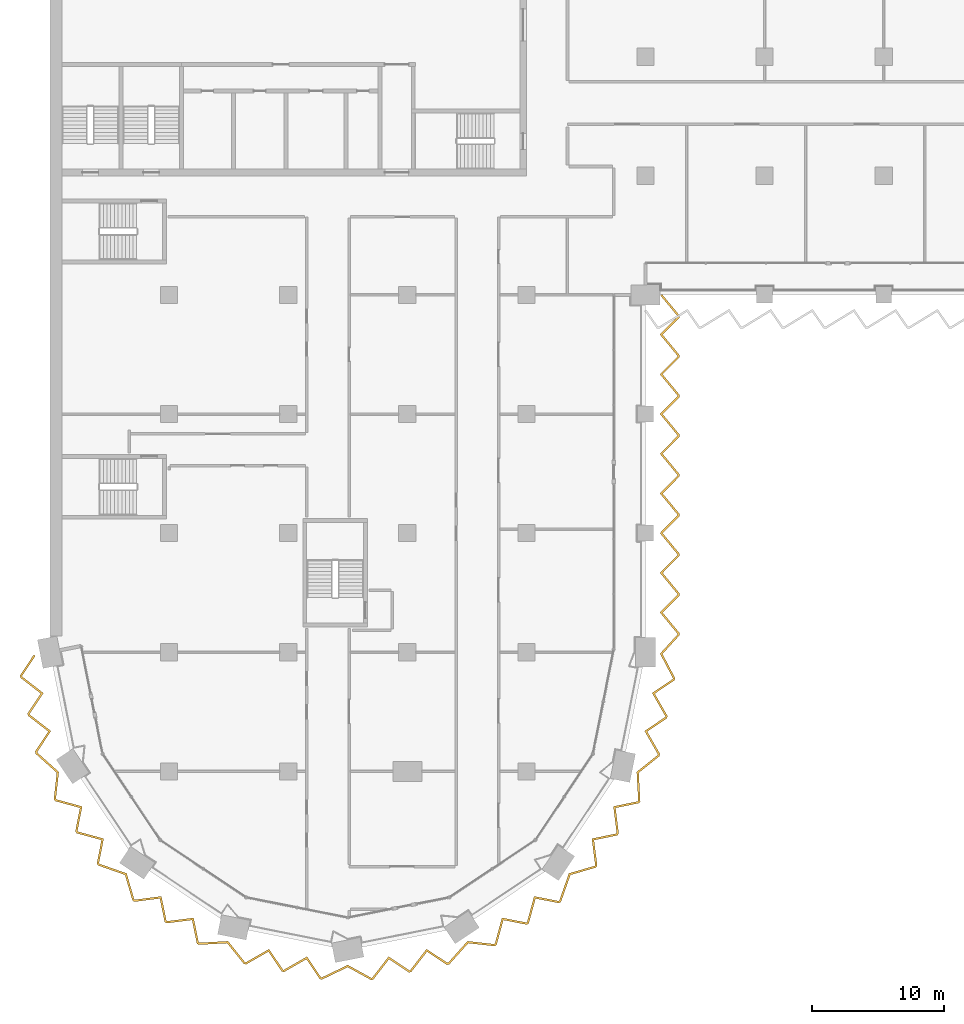
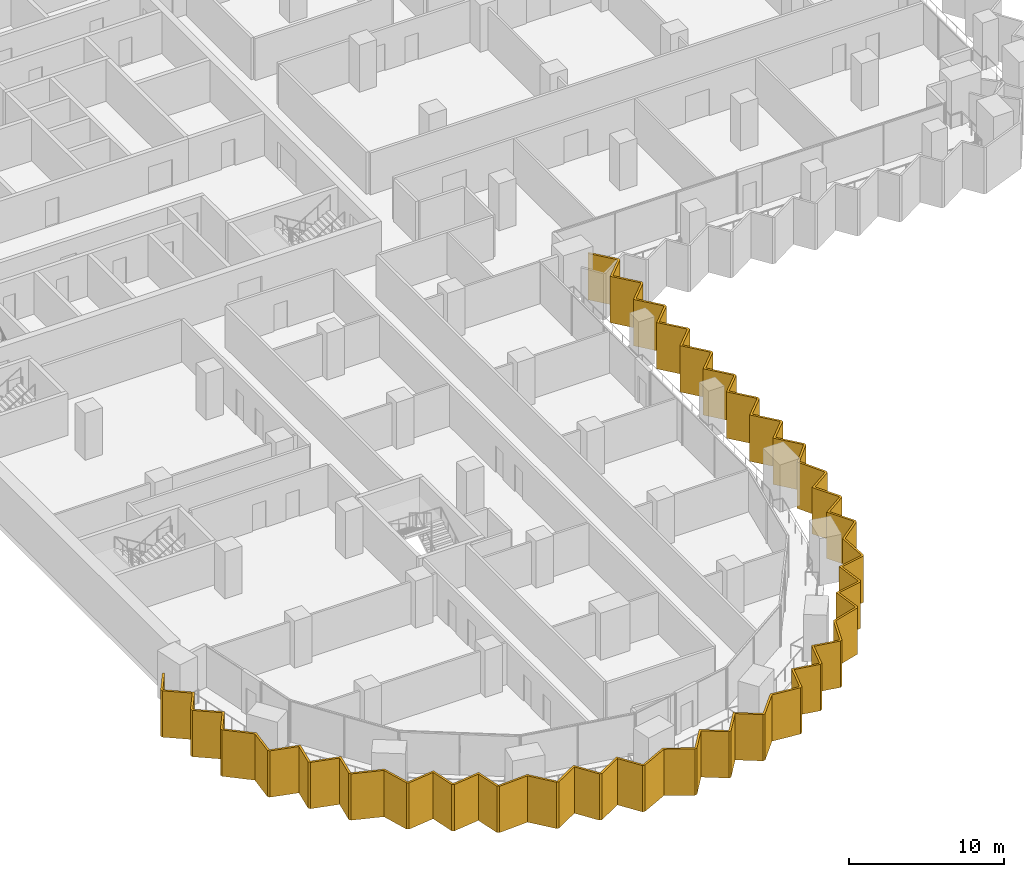
# One storey, part 18 of 22: 1 shading device.
"""IFC4 building model written with IfcOpenShell, lengths in metres."""

from ifc_helpers import new_model, si_unit, direction, frame, origin, place, context, subcontext, project, spatial, polyline, outline, extrude, material, layer, layer_set, type_object, element, save


model = new_model("IFC4")

# Units and contexts
model_context = context("Model", 3, precision=1e-05, world=origin(), true_north=direction((0.0, 1.0)))
body_context = subcontext(model_context, "Body", "Model", "MODEL_VIEW")
ifc_project = project(units=[si_unit("LENGTHUNIT", "METRE"), si_unit("AREAUNIT", "SQUARE_METRE"), si_unit("VOLUMEUNIT", "CUBIC_METRE"), si_unit("PLANEANGLEUNIT", "RADIAN"), si_unit("MASSUNIT", "GRAM", prefix="KILO")], contexts=[model_context])

# Site, building, storey
site_placement = place(None, origin())
site = spatial("IfcSite", under=ifc_project, at=site_placement, CompositionType="ELEMENT")
building_placement = place(site_placement, origin())
building = spatial("IfcBuilding", under=site, at=building_placement, Name="Hunhe Ridgeline Campus", CompositionType="ELEMENT")
storey_placement = place(building_placement, frame((0.0, 0.0, 84.800048828125)))
storey = spatial("IfcBuildingStorey", under=building, at=storey_placement, Name="L20", CompositionType="ELEMENT", Elevation=84.800048828125)

# Shading device
ifc_material = material(Name="Concrete C50", Category="concrete")
ifc_layer = layer(ifc_material, 0.14990234375)
ifc_layer_set = layer_set([ifc_layer], Name="Sawtooth concrete fin 150 Concrete C50")
shading_device_type = type_object("IfcShadingDeviceType", Name="Sawtooth concrete fin 150 Concrete C50", PredefinedType="USERDEFINED", material=ifc_layer_set)
shading_device_placement = place(storey_placement, frame((0.0, 0.0, -0.949951171875)))
element("IfcShadingDevice", 1, at=shading_device_placement, inside=storey, type_object=shading_device_type, Name="Concrete fin screen 1", ObjectType="FIN", PredefinedType="USERDEFINED", context=body_context, shape_type="SweptSolid", body=[
    extrude(outline(polyline([(-1.103515625, 26.7265625), (-1.228515625, 26.8095703125), (-2.264892578125, 25.2451171875), (-2.22998046875, 25.069580078125), (-0.696044921875, 23.88134765625), (-1.694091796875, 22.375), (-1.6591796875, 22.199462890625), (-0.125244140625, 21.01123046875), (-1.123291015625, 19.5048828125), (-1.0888671875, 19.332275390625), (0.51416015625, 17.895751953125), (0.293701171875, 15.8984375), (0.39111328125, 15.752685546875), (2.26318359375, 15.241943359375), (1.91748046875, 13.46826171875), (2.016845703125, 13.319580078125), (3.888916015625, 12.808837890625), (3.543212890625, 11.03515625), (3.64111328125, 10.888916015625), (5.671630859375, 10.175048828125), (6.232421875, 8.24560546875), (6.378173828125, 8.148193359375), (8.30322265625, 8.392578125), (8.66259765625, 6.621826171875), (8.811279296875, 6.5224609375), (10.736328125, 6.766845703125), (11.095703125, 4.995849609375), (11.241943359375, 4.898193359375), (13.391357421875, 5.015869140625), (14.647705078125, 3.44775390625), (14.819580078125, 3.41357421875), (16.504638671875, 4.376220703125), (17.514404296875, 2.877685546875), (17.68994140625, 2.8427734375), (19.374755859375, 3.80517578125), (20.384521484375, 2.306640625), (20.556884765625, 2.2724609375), (22.49755859375, 3.20361328125), (24.258544921875, 2.235595703125), (24.430419921875, 2.27001953125), (25.61865234375, 3.803955078125), (27.125, 2.805908203125), (27.300537109375, 2.8408203125), (28.48876953125, 4.374755859375), (29.9951171875, 3.376708984375), (30.167724609375, 3.4111328125), (31.604248046875, 5.01416015625), (33.6015625, 4.793701171875), (33.747314453125, 4.89111328125), (34.258056640625, 6.76318359375), (36.03173828125, 6.41748046875), (36.180419921875, 6.516845703125), (36.691162109375, 8.388916015625), (38.46484375, 8.043212890625), (38.611083984375, 8.14111328125), (39.324951171875, 10.171630859375), (41.25439453125, 10.732421875), (41.351806640625, 10.878173828125), (41.107421875, 12.80322265625), (42.878173828125, 13.16259765625), (42.9775390625, 13.311279296875), (42.733154296875, 15.236328125), (44.504150390625, 15.595703125), (44.601806640625, 15.741943359375), (44.484130859375, 17.891357421875), (46.05224609375, 19.147705078125), (46.08642578125, 19.319580078125), (45.123779296875, 21.004638671875), (46.622314453125, 22.014404296875), (46.6572265625, 22.18994140625), (45.69482421875, 23.874755859375), (47.193359375, 24.884521484375), (47.227783203125, 25.058349609375), (46.279541015625, 26.87109375), (47.56396484375, 28.28125), (47.56396484375, 28.457275390625), (46.2900390625, 29.995361328125), (47.56396484375, 31.279296875), (47.56396484375, 31.457275390625), (46.2900390625, 32.995361328125), (47.56396484375, 34.279296875), (47.56396484375, 34.457275390625), (46.2900390625, 35.995361328125), (47.56396484375, 37.279296875), (47.56396484375, 37.457275390625), (46.2900390625, 38.995361328125), (47.56396484375, 40.279296875), (47.56396484375, 40.457275390625), (46.2900390625, 41.995361328125), (47.56396484375, 43.279296875), (47.56396484375, 43.457275390625), (46.2900390625, 44.995361328125), (47.56396484375, 46.279296875), (47.56396484375, 46.457275390625), (46.2900390625, 47.995361328125), (47.56396484375, 49.279296875), (47.56396484375, 49.457275390625), (46.2900390625, 50.995361328125), (47.56396484375, 52.279296875), (47.56396484375, 52.457275390625), (46.24658203125, 54.0478515625), (46.131103515625, 53.9521484375), (47.413818359375, 52.4033203125), (47.413818359375, 52.341064453125), (46.087646484375, 51.004638671875), (47.413818359375, 49.4033203125), (47.413818359375, 49.341064453125), (46.087646484375, 48.004638671875), (47.413818359375, 46.4033203125), (47.413818359375, 46.341064453125), (46.087646484375, 45.004638671875), (47.413818359375, 43.4033203125), (47.413818359375, 43.341064453125), (46.087646484375, 42.004638671875), (47.413818359375, 40.4033203125), (47.413818359375, 40.341064453125), (46.087646484375, 39.004638671875), (47.413818359375, 37.4033203125), (47.413818359375, 37.341064453125), (46.087646484375, 36.004638671875), (47.413818359375, 34.4033203125), (47.413818359375, 34.341064453125), (46.087646484375, 33.004638671875), (47.413818359375, 31.4033203125), (47.413818359375, 31.341064453125), (46.087646484375, 30.004638671875), (47.413818359375, 28.4033203125), (47.413818359375, 28.33935546875), (46.09814453125, 26.89453125), (47.070556640625, 25.035888671875), (47.05810546875, 24.974365234375), (45.495361328125, 23.921142578125), (46.499267578125, 22.1640625), (46.4873046875, 22.104248046875), (44.924560546875, 21.051025390625), (45.92822265625, 19.2939453125), (45.915771484375, 19.23046875), (44.330078125, 17.960205078125), (44.44921875, 15.78369140625), (44.41357421875, 15.73046875), (42.56689453125, 15.355712890625), (42.82177734375, 13.34814453125), (42.787841796875, 13.29736328125), (40.94091796875, 12.92236328125), (41.196044921875, 10.9150390625), (41.16015625, 10.861083984375), (39.208984375, 10.294189453125), (38.486328125, 8.238037109375), (38.432861328125, 8.202392578125), (36.583251953125, 8.562744140625), (36.050537109375, 6.610595703125), (35.999755859375, 6.57666015625), (34.150146484375, 6.93701171875), (33.617431640625, 4.984619140625), (33.563720703125, 4.94873046875), (31.544189453125, 5.171630859375), (30.08935546875, 3.548583984375), (30.026611328125, 3.535888671875), (28.45556640625, 4.57666015625), (27.21630859375, 2.97705078125), (27.156494140625, 2.965087890625), (25.58544921875, 4.005859375), (24.34619140625, 2.406005859375), (24.28271484375, 2.3935546875), (22.50244140625, 3.3720703125), (20.537109375, 2.42919921875), (20.474365234375, 2.44189453125), (19.421142578125, 4.004638671875), (17.6640625, 3.000732421875), (17.604248046875, 3.0126953125), (16.551025390625, 4.575439453125), (14.7939453125, 3.57177734375), (14.73046875, 3.584228515625), (13.460205078125, 5.169921875), (11.28369140625, 5.05078125), (11.23046875, 5.08642578125), (10.855712890625, 6.93310546875), (8.84814453125, 6.67822265625), (8.79736328125, 6.712158203125), (8.42236328125, 8.55908203125), (6.4150390625, 8.303955078125), (6.361083984375, 8.33984375), (5.794189453125, 10.291015625), (3.738037109375, 11.013671875), (3.702392578125, 11.067138671875), (4.062744140625, 12.916748046875), (2.110595703125, 13.449462890625), (2.07666015625, 13.500244140625), (2.43701171875, 15.349853515625), (0.484619140625, 15.882568359375), (0.44873046875, 15.936279296875), (0.671630859375, 17.955810546875), (-0.951416015625, 19.41064453125), (-0.964111328125, 19.473388671875), (0.07666015625, 21.04443359375), (-1.52294921875, 22.28369140625), (-1.534912109375, 22.343505859375), (-0.494140625, 23.91455078125), (-2.093994140625, 25.15380859375), (-2.10595703125, 25.213623046875), (-1.103515625, 26.7265625)])), origin(), (0.0, 0.0, 1.0), 3.64990234375),
])

save(model, "model.ifc")
